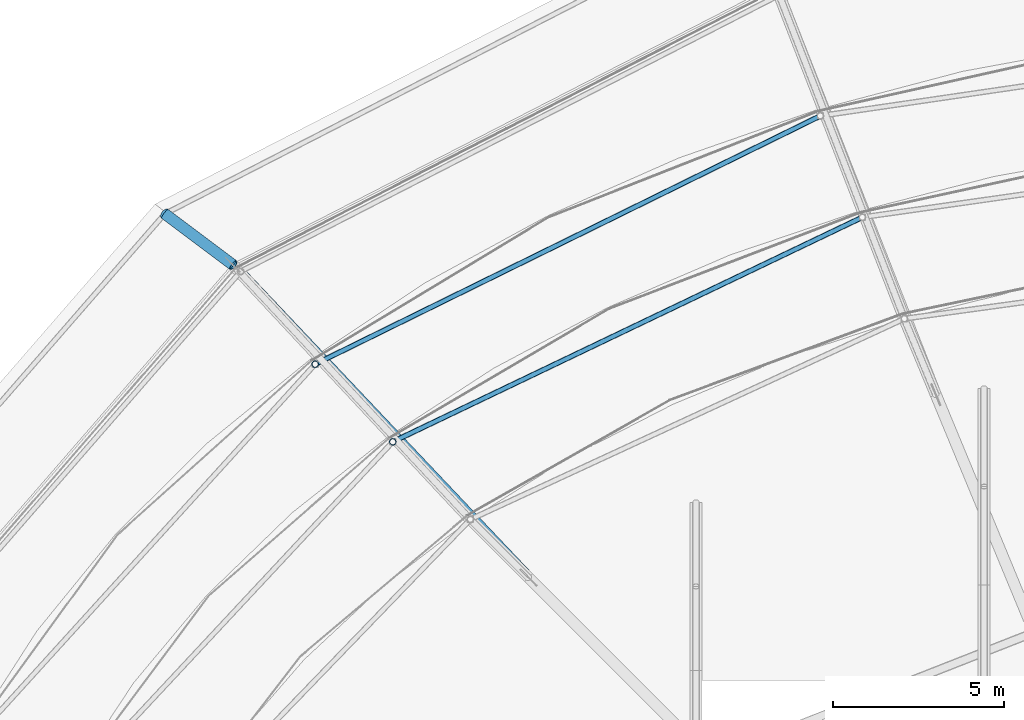
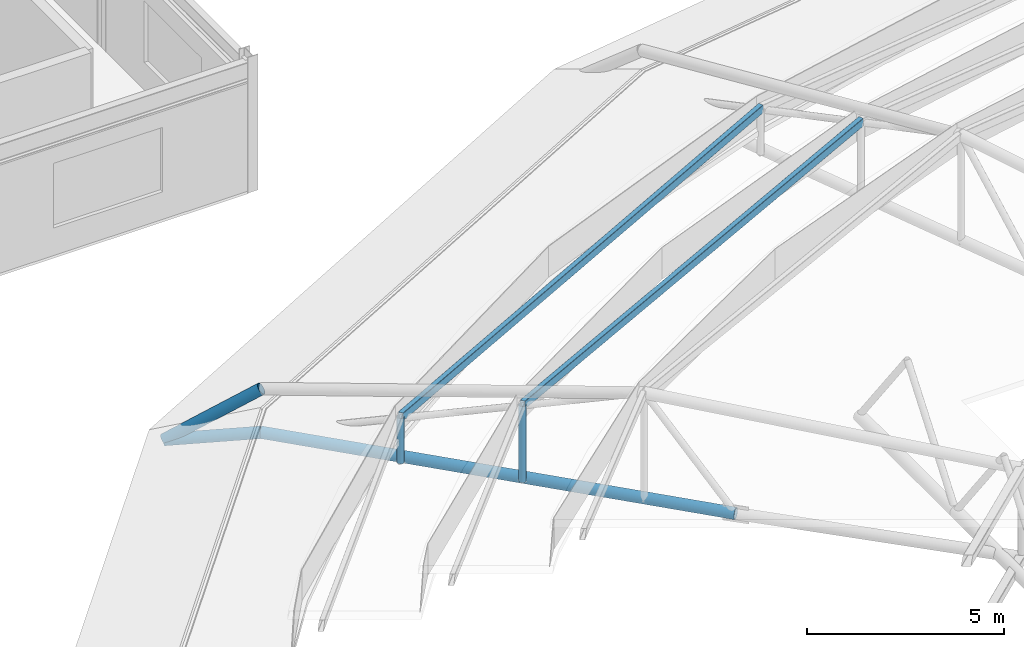
# One storey, part 41 of 134: 5 members, 2 beams.
"""IFC4 building model written with IfcOpenShell, lengths in metres."""

import ifcopenshell
import ifcopenshell.guid

model = None  # the IFC model being written
_history = None  # IfcOwnerHistory: only IFC2X3 demands one
_inside = {}  # id of a spatial element -> (the spatial element, [elements in it])
_under = {}  # id of a project, library or spatial element -> (it, [spatial elements below it])
_declared = {}  # id of a project -> (the project, [libraries it declares])
_typed = {}  # id of a type object -> (the type object, [elements of that type])
_made_of = {}  # id of a material, layer set ... -> (it, [elements and type objects made of it])


def new_model(schema):
    """Start an empty IFC model of exactly this schema.

    Asked for "IFC4X3", IfcOpenShell would pick the latest addendum, in which some entities
    have other attributes; the version numbers below select the first issue.
    IFC2X3 requires an IfcOwnerHistory on every rooted entity: one is made here for all.
    """
    global model, _history
    if schema == "IFC4X3":
        model = ifcopenshell.file(schema_version=(4, 3, 0, 0))
    else:
        model = ifcopenshell.file(schema=schema)
    _inside.clear()
    _under.clear()
    _declared.clear()
    _typed.clear()
    _made_of.clear()
    _history = None
    if model.schema == "IFC2X3":
        org = make("IfcOrganization", Name="unknown")
        user = make(
            "IfcPersonAndOrganization",
            ThePerson=make("IfcPerson", FamilyName="unknown"),
            TheOrganization=org,
        )
        app = make(
            "IfcApplication",
            ApplicationDeveloper=org,
            Version="unknown",
            ApplicationFullName="unknown",
            ApplicationIdentifier="unknown",
        )
        _history = make(
            "IfcOwnerHistory",
            OwningUser=user,
            OwningApplication=app,
            ChangeAction="ADDED",
            CreationDate=0,
        )
    return model


def make(cls, **values):
    """One entity of the class cls with the attributes given. An attribute that is None is left unset."""
    return model.create_entity(
        cls, **{name: value for name, value in values.items() if value is not None}
    )


def rooted(cls, **values):
    """An entity with a GlobalId (a new one), such as an element, a storey or a relation."""
    return make(cls, GlobalId=ifcopenshell.guid.new(), OwnerHistory=_history, **values)


def si_unit(unit_type, name, prefix=None):
    """IfcSIUnit, for example si_unit("LENGTHUNIT", "METRE", prefix="MILLI")."""
    return make("IfcSIUnit", UnitType=unit_type, Prefix=prefix, Name=name)


def derived_unit(unit_type, elements):
    """IfcDerivedUnit: a product of units, each with its exponent."""
    return make(
        "IfcDerivedUnit",
        Elements=[
            make("IfcDerivedUnitElement", Unit=unit, Exponent=power)
            for unit, power in elements
        ],
        UnitType=unit_type,
    )


def assignment(units):
    """IfcUnitAssignment: the units of a project."""
    return None if units is None else make("IfcUnitAssignment", Units=units)


def point(xyz):
    """IfcCartesianPoint."""
    return None if xyz is None else make("IfcCartesianPoint", Coordinates=xyz)


def direction(xyz):
    """IfcDirection."""
    return None if xyz is None else make("IfcDirection", DirectionRatios=xyz)


def frame(location, z_axis=None, x_axis=None):
    """IfcAxis2Placement3D, a coordinate frame: its origin and axes. An axis left out is left unset."""
    return make(
        "IfcAxis2Placement3D",
        Location=point(location),
        Axis=direction(z_axis),
        RefDirection=direction(x_axis),
    )


def frame_2d(location, x_axis=None):
    """IfcAxis2Placement2D, a coordinate frame in the plane: its origin and x axis."""
    return make(
        "IfcAxis2Placement2D", Location=point(location), RefDirection=direction(x_axis)
    )


def origin():
    """The frame at (0, 0, 0) with its axes left unset."""
    return frame((0.0, 0.0, 0.0))


def origin_2d():
    """The frame at (0, 0) in the plane with its x axis left unset."""
    return frame_2d((0.0, 0.0))


def place(relative_to, where):
    """IfcLocalPlacement: puts the frame where relative to a parent placement (None: the world)."""
    return make(
        "IfcLocalPlacement", PlacementRelTo=relative_to, RelativePlacement=where
    )


def context(
    kind, dimensions, precision=None, world=None, true_north=None, identifier=None
):
    """IfcGeometricRepresentationContext, for example the 3D "Model" context."""
    return make(
        "IfcGeometricRepresentationContext",
        ContextIdentifier=identifier,
        ContextType=kind,
        CoordinateSpaceDimension=dimensions,
        Precision=precision,
        WorldCoordinateSystem=world,
        TrueNorth=true_north,
    )


def subcontext(parent, identifier, kind, view, scale=None):
    """IfcGeometricRepresentationSubContext, for example "Body" below "Model"."""
    return make(
        "IfcGeometricRepresentationSubContext",
        ContextIdentifier=identifier,
        ContextType=kind,
        ParentContext=parent,
        TargetScale=scale,
        TargetView=view,
    )


def project(units=None, contexts=None):
    """IfcProject with its units and contexts."""
    return rooted(
        "IfcProject",
        Name="project",
        RepresentationContexts=contexts,
        UnitsInContext=assignment(units),
    )


def spatial(cls, under=None, at=None, **own):
    """A site, building, storey or space (cls), placed at a placement, below another one or the project."""
    s = rooted(cls, ObjectPlacement=at, **own)
    if under is not None:
        _under.setdefault(under.id(), (under, []))[1].append(s)
    return s


def profile(cls, at=None, kind="AREA", **sizes):
    """A parametric profile (cls). Its sizes go by their IFC names, for example OverallWidth=200.0."""
    return make(cls, ProfileType=kind, Position=at, **sizes)


def hollow_rectangle(**sizes):
    """IfcRectangleHollowProfileDef."""
    return profile("IfcRectangleHollowProfileDef", **sizes)


def hollow_circle(**sizes):
    """IfcCircleHollowProfileDef."""
    return profile("IfcCircleHollowProfileDef", **sizes)


def extrude(swept, where, along, depth):
    """IfcExtrudedAreaSolid: the profile swept, set in the frame where, extruded along a direction by depth."""
    return make(
        "IfcExtrudedAreaSolid",
        SweptArea=swept,
        Position=where,
        ExtrudedDirection=direction(along),
        Depth=depth,
    )


def shape(context_of_items, identifier, shape_type, items):
    """IfcShapeRepresentation: the items that make up one representation, for example the "Body"."""
    return make(
        "IfcShapeRepresentation",
        ContextOfItems=context_of_items,
        RepresentationIdentifier=identifier,
        RepresentationType=shape_type,
        Items=items,
    )


def material(Name=None, Category=None):
    """IfcMaterial."""
    return make("IfcMaterial", Name=Name, Category=Category)


def material_profile(
    of_material, cross_section, Name=None, Category=None, Priority=None
):
    """IfcMaterialProfile: a cross section and its material."""
    return make(
        "IfcMaterialProfile",
        Name=Name,
        Material=of_material,
        Profile=cross_section,
        Priority=Priority,
        Category=Category,
    )


def profile_set(profiles, Name=None, composite=None):
    """IfcMaterialProfileSet."""
    return make(
        "IfcMaterialProfileSet",
        Name=Name,
        MaterialProfiles=profiles,
        CompositeProfile=composite,
    )


def made_of(thing, what):
    """Note that an element or type object is made of a material, layer set ...; save() writes the relation."""
    if what is not None:
        _made_of.setdefault(what.id(), (what, []))[1].append(thing)
    return thing


def type_object(cls, material=None, **own):
    """A type object (cls), such as IfcWallType, which elements share."""
    return made_of(rooted(cls, **own), material)


def element(
    cls,
    number,
    at=None,
    inside=None,
    cuts=None,
    type_object=None,
    material=None,
    context=None,
    identifier="Body",
    shape_type=None,
    held_by="IfcProductDefinitionShape",
    body=None,
    shapes=None,
    **own,
):
    """One element of the class cls, such as IfcWall. Its Tag is "e" and its number.

    at: its placement. inside: the storey or other place that contains it. cuts: it is an
    opening in that element (IfcRelVoidsElement). A single representation is given by context,
    identifier, shape_type and body (its items); several are given by shapes. held_by: the class
    of the entity that holds the representations. save() writes the other relations.
    """
    e = rooted(cls, Tag="e%d" % number, ObjectPlacement=at, **own)
    if body is not None:
        shapes = [shape(context, identifier, shape_type, body)]
    if shapes is not None:
        e.Representation = make(held_by, Representations=shapes)
    if inside is not None:
        _inside.setdefault(inside.id(), (inside, []))[1].append(e)
    if cuts is not None:
        rooted(
            "IfcRelVoidsElement", RelatingBuildingElement=cuts, RelatedOpeningElement=e
        )
    if type_object is not None:
        _typed.setdefault(type_object.id(), (type_object, []))[1].append(e)
    return made_of(e, material)


def aggregate(whole, parts):
    """IfcRelAggregates: a whole, such as a stair, and the parts it consists of."""
    return rooted("IfcRelAggregates", RelatingObject=whole, RelatedObjects=parts)


def save(model, path):
    """Write the relations noted so far, then the file.

    IfcRelAggregates (storeys below a building ...), IfcRelContainedInSpatialStructure (elements
    in a storey), IfcRelDefinesByType, IfcRelAssociatesMaterial and IfcRelDeclares: one each for
    every whole, place, type object, material and project.
    """
    for whole, parts in _under.values():
        aggregate(whole, parts)
    for where, things in _inside.values():
        rooted(
            "IfcRelContainedInSpatialStructure",
            RelatedElements=things,
            RelatingStructure=where,
        )
    for kind, things in _typed.values():
        rooted("IfcRelDefinesByType", RelatedObjects=things, RelatingType=kind)
    for what, things in _made_of.values():
        rooted("IfcRelAssociatesMaterial", RelatedObjects=things, RelatingMaterial=what)
    for by, libraries in _declared.values():
        rooted("IfcRelDeclares", RelatingContext=by, RelatedDefinitions=libraries)
    model.write(path)


model = new_model("IFC4")

# Units and contexts
model_context = context("Model", 3, precision=1e-05, world=origin(), true_north=direction((0.0, 1.0)))
body_context = subcontext(model_context, "Body", "Model", "MODEL_VIEW")
ifc_project = project(units=[si_unit("LENGTHUNIT", "METRE"), si_unit("AREAUNIT", "SQUARE_METRE"), si_unit("VOLUMEUNIT", "CUBIC_METRE"), si_unit("PLANEANGLEUNIT", "RADIAN"), si_unit("MASSUNIT", "GRAM", prefix="KILO"), derived_unit("THERMALTRANSMITTANCEUNIT", [(si_unit("MASSUNIT", "GRAM", prefix="KILO"), 1), (si_unit("TIMEUNIT", "SECOND"), -3), (si_unit("THERMODYNAMICTEMPERATUREUNIT", "KELVIN"), -1)])], contexts=[model_context])

# Site, building, storey
site_placement = place(None, origin())
site = spatial("IfcSite", under=ifc_project, at=site_placement, CompositionType="ELEMENT")
building_placement = place(site_placement, origin())
building = spatial("IfcBuilding", under=site, at=building_placement, Name="Kharveza Railside Sports Centre", CompositionType="ELEMENT")
storey_placement = place(building_placement, frame((0.0, 0.0, 12.89990234375)))
storey = spatial("IfcBuildingStorey", under=building, at=storey_placement, Name="L03", CompositionType="ELEMENT", Elevation=12.89990234375)

# Beams
ifc_material = material(Name="Steel S355J2", Category="steel")
ifc_material_profile_1 = material_profile(ifc_material, hollow_rectangle(XDim=0.14990234375, YDim=0.25, WallThickness=0.010009765625, InnerFilletRadius=0.010009765625, OuterFilletRadius=0.02001953125, at=origin_2d()), Name="RHS 150x250x10.0")
ifc_profile_set_1 = profile_set([ifc_material_profile_1], Name="Steel S355J2")
beam_type = type_object("IfcBeamType", Name="BM-SP04", PredefinedType="SPANDREL", material=ifc_profile_set_1)
beam_1_placement = place(storey_placement, frame((37.22607421875, 81.257568359375, 1.35498046875), z_axis=(-0.897432424779, -0.441151949962, 0.0), x_axis=(0.441151949962, -0.897432424779, 0.0)))
element("IfcBeam", 1, at=beam_1_placement, inside=storey, type_object=beam_type, Name="BM-LIDRING-S2-06", PredefinedType="SPANDREL", context=body_context, shape_type="SweptSolid", body=[
    extrude(hollow_rectangle(XDim=0.14990234375, YDim=0.25, WallThickness=0.010009765625, InnerFilletRadius=0.010009765625, OuterFilletRadius=0.02001953125, at=origin_2d()), origin(), (0.0, 0.0, 1.0), 16.412109375),
])
beam_2_placement = place(storey_placement, frame((38.45068359375, 78.30126953125, 2.30517578125), z_axis=(-0.902161989983, -0.431397431414, 0.0), x_axis=(0.431397431414, -0.902161989983, 0.0)))
element("IfcBeam", 2, at=beam_2_placement, inside=storey, type_object=beam_type, Name="BM-LIDRING-S3-06", PredefinedType="SPANDREL", context=body_context, shape_type="SweptSolid", body=[
    extrude(hollow_rectangle(XDim=0.14990234375, YDim=0.25, WallThickness=0.010009765625, InnerFilletRadius=0.010009765625, OuterFilletRadius=0.02001953125, at=origin_2d()), origin(), (0.0, 0.0, 1.0), 15.17529296875),
])

# Members
ifc_material_profile_2 = material_profile(ifc_material, hollow_circle(Radius=0.161865234375, WallThickness=0.01611328125, at=origin_2d()), Name="CHS 323.9x16.0")
ifc_profile_set_2 = profile_set([ifc_material_profile_2], Name="Steel S355J2")
member_type_1 = type_object("IfcMemberType", Name="MB-CH02", PredefinedType="CHORD", material=ifc_profile_set_2)
member_1_placement = place(storey_placement, frame((28.719970703125, 67.794921875, -0.0498046875), z_axis=(-0.687123572984, 0.726540566968, 0.0), x_axis=(-0.726540566968, -0.687123572984, 0.0)))
element("IfcMember", 3, at=member_1_placement, inside=storey, type_object=member_type_1, Name="MB-OUT-BC2-07", PredefinedType="CHORD", context=body_context, shape_type="SweptSolid", body=[
    extrude(hollow_circle(Radius=0.161865234375, WallThickness=0.01611328125, at=origin_2d()), origin(), (0.0, 0.0, 1.0), 12.554931640625),
])
member_2_placement = place(storey_placement, frame((20.09326171875, 76.91650390625, -0.0498046875), z_axis=(-0.788205736048, 0.591105707355, -0.171247658066), x_axis=(-0.599968432631, -0.800023674554, 0.0)))
element("IfcMember", 4, at=member_2_placement, inside=storey, type_object=member_type_1, Name="MB-OUT-BC3-07", PredefinedType="CHORD", context=body_context, shape_type="SweptSolid", body=[
    extrude(hollow_circle(Radius=0.161865234375, WallThickness=0.01611328125, at=origin_2d()), origin(), (0.0, 0.0, 1.0), 2.511962890625),
])
member_3_placement = place(storey_placement, frame((20.09326171875, 76.91650390625, 1.300048828125), z_axis=(-0.649483085441, 0.487072271967, -0.583894103076), x_axis=(-0.599968432631, -0.800023674554, 0.0)))
element("IfcMember", 5, at=member_3_placement, inside=storey, type_object=member_type_1, Name="MB-OUT-TC3-07", PredefinedType="CHORD", context=body_context, shape_type="SweptSolid", body=[
    extrude(hollow_circle(Radius=0.161865234375, WallThickness=0.01611328125, at=origin_2d()), origin(), (0.0, 0.0, 1.0), 3.048583984375),
])
ifc_material_profile_3 = material_profile(ifc_material, hollow_circle(Radius=0.096923828125, WallThickness=0.010009765625, at=origin_2d()), Name="CHS 193.7x10.0")
ifc_profile_set_3 = profile_set([ifc_material_profile_3], Name="Steel S355J2")
member_type_2 = type_object("IfcMemberType", Name="MB-ST02", PredefinedType="STRUT", material=ifc_profile_set_3)
member_4_placement = place(storey_placement, frame((22.497314453125, 74.017333984375, -0.0498046875), z_axis=(0.0, 0.0, 1.0), x_axis=(1.0, 0.0, 0.0)))
element("IfcMember", 6, at=member_4_placement, inside=storey, type_object=member_type_2, Name="MB-LIDPOST-S2-07", PredefinedType="STRUT", context=body_context, shape_type="SweptSolid", body=[
    extrude(hollow_circle(Radius=0.096923828125, WallThickness=0.010009765625, at=origin_2d()), origin(), (0.0, 0.0, 1.0), 1.40478515625),
])
member_5_placement = place(storey_placement, frame((24.760009765625, 71.754638671875, -0.0498046875), z_axis=(0.0, 0.0, 1.0), x_axis=(1.0, 0.0, 0.0)))
element("IfcMember", 7, at=member_5_placement, inside=storey, type_object=member_type_2, Name="MB-LIDPOST-S3-07", PredefinedType="STRUT", context=body_context, shape_type="SweptSolid", body=[
    extrude(hollow_circle(Radius=0.096923828125, WallThickness=0.010009765625, at=origin_2d()), origin(), (0.0, 0.0, 1.0), 2.35498046875),
])

save(model, "model.ifc")
